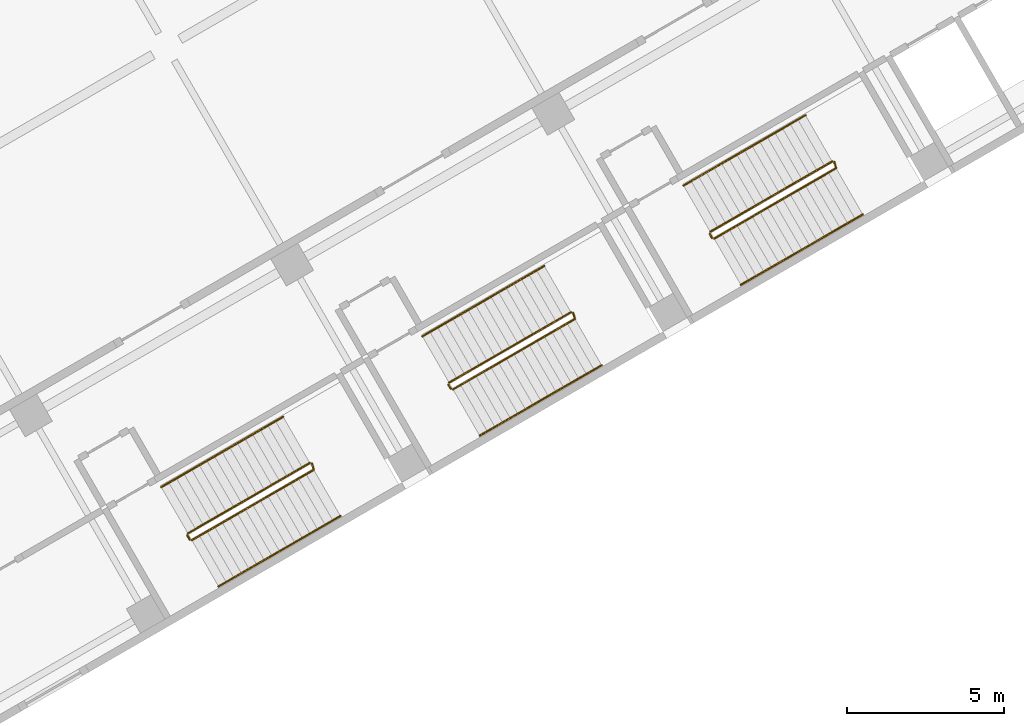
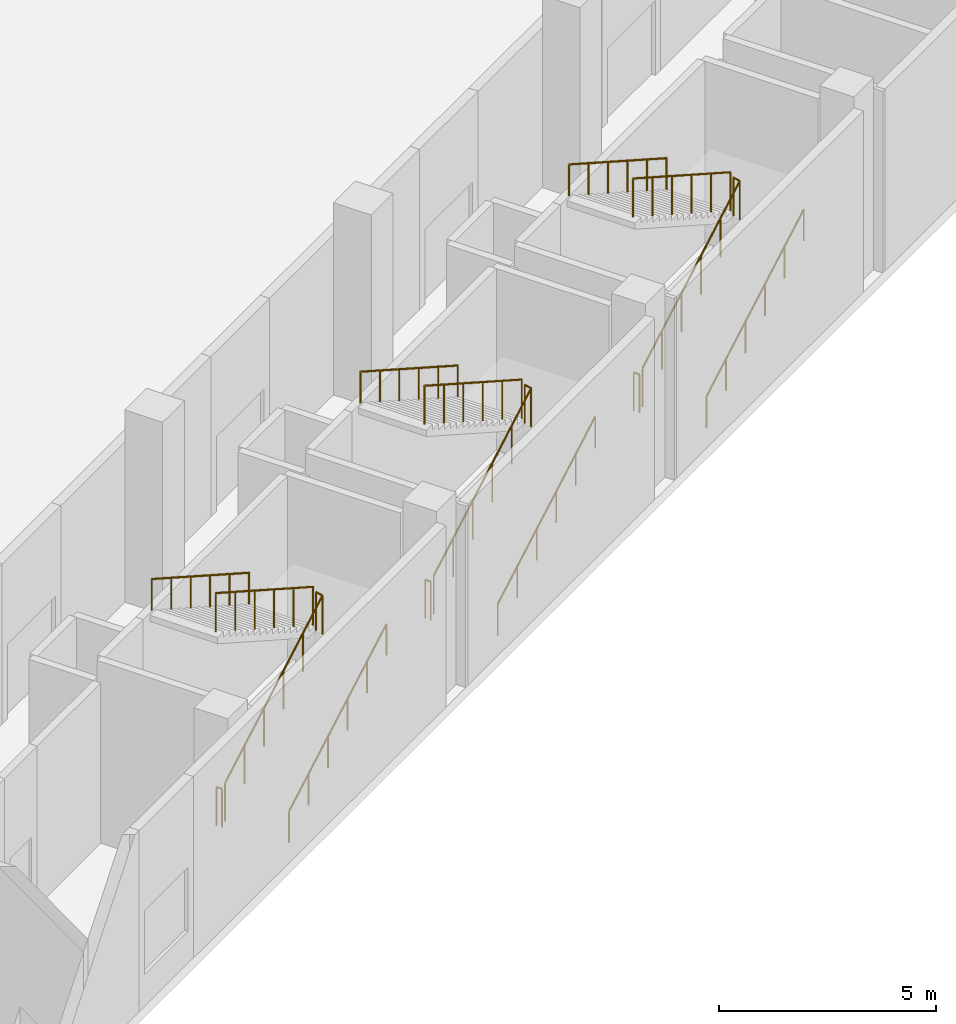
# One storey, part 35 of 35: 15 railings.
"""IFC4 building model written with IfcOpenShell, lengths in metres."""

import ifcopenshell
import ifcopenshell.guid

model = None  # the IFC model being written
_history = None  # IfcOwnerHistory: only IFC2X3 demands one
_inside = {}  # id of a spatial element -> (the spatial element, [elements in it])
_under = {}  # id of a project, library or spatial element -> (it, [spatial elements below it])
_declared = {}  # id of a project -> (the project, [libraries it declares])
_typed = {}  # id of a type object -> (the type object, [elements of that type])
_made_of = {}  # id of a material, layer set ... -> (it, [elements and type objects made of it])


def new_model(schema):
    """Start an empty IFC model of exactly this schema.

    Asked for "IFC4X3", IfcOpenShell would pick the latest addendum, in which some entities
    have other attributes; the version numbers below select the first issue.
    IFC2X3 requires an IfcOwnerHistory on every rooted entity: one is made here for all.
    """
    global model, _history
    if schema == "IFC4X3":
        model = ifcopenshell.file(schema_version=(4, 3, 0, 0))
    else:
        model = ifcopenshell.file(schema=schema)
    _inside.clear()
    _under.clear()
    _declared.clear()
    _typed.clear()
    _made_of.clear()
    _history = None
    if model.schema == "IFC2X3":
        org = make("IfcOrganization", Name="unknown")
        user = make(
            "IfcPersonAndOrganization",
            ThePerson=make("IfcPerson", FamilyName="unknown"),
            TheOrganization=org,
        )
        app = make(
            "IfcApplication",
            ApplicationDeveloper=org,
            Version="unknown",
            ApplicationFullName="unknown",
            ApplicationIdentifier="unknown",
        )
        _history = make(
            "IfcOwnerHistory",
            OwningUser=user,
            OwningApplication=app,
            ChangeAction="ADDED",
            CreationDate=0,
        )
    return model


def make(cls, **values):
    """One entity of the class cls with the attributes given. An attribute that is None is left unset."""
    return model.create_entity(
        cls, **{name: value for name, value in values.items() if value is not None}
    )


def rooted(cls, **values):
    """An entity with a GlobalId (a new one), such as an element, a storey or a relation."""
    return make(cls, GlobalId=ifcopenshell.guid.new(), OwnerHistory=_history, **values)


def si_unit(unit_type, name, prefix=None):
    """IfcSIUnit, for example si_unit("LENGTHUNIT", "METRE", prefix="MILLI")."""
    return make("IfcSIUnit", UnitType=unit_type, Prefix=prefix, Name=name)


def assignment(units):
    """IfcUnitAssignment: the units of a project."""
    return None if units is None else make("IfcUnitAssignment", Units=units)


def point(xyz):
    """IfcCartesianPoint."""
    return None if xyz is None else make("IfcCartesianPoint", Coordinates=xyz)


def direction(xyz):
    """IfcDirection."""
    return None if xyz is None else make("IfcDirection", DirectionRatios=xyz)


def frame(location, z_axis=None, x_axis=None):
    """IfcAxis2Placement3D, a coordinate frame: its origin and axes. An axis left out is left unset."""
    return make(
        "IfcAxis2Placement3D",
        Location=point(location),
        Axis=direction(z_axis),
        RefDirection=direction(x_axis),
    )


def frame_2d(location, x_axis=None):
    """IfcAxis2Placement2D, a coordinate frame in the plane: its origin and x axis."""
    return make(
        "IfcAxis2Placement2D", Location=point(location), RefDirection=direction(x_axis)
    )


def origin():
    """The frame at (0, 0, 0) with its axes left unset."""
    return frame((0.0, 0.0, 0.0))


def origin_2d():
    """The frame at (0, 0) in the plane with its x axis left unset."""
    return frame_2d((0.0, 0.0))


def place(relative_to, where):
    """IfcLocalPlacement: puts the frame where relative to a parent placement (None: the world)."""
    return make(
        "IfcLocalPlacement", PlacementRelTo=relative_to, RelativePlacement=where
    )


def context(
    kind, dimensions, precision=None, world=None, true_north=None, identifier=None
):
    """IfcGeometricRepresentationContext, for example the 3D "Model" context."""
    return make(
        "IfcGeometricRepresentationContext",
        ContextIdentifier=identifier,
        ContextType=kind,
        CoordinateSpaceDimension=dimensions,
        Precision=precision,
        WorldCoordinateSystem=world,
        TrueNorth=true_north,
    )


def subcontext(parent, identifier, kind, view, scale=None):
    """IfcGeometricRepresentationSubContext, for example "Body" below "Model"."""
    return make(
        "IfcGeometricRepresentationSubContext",
        ContextIdentifier=identifier,
        ContextType=kind,
        ParentContext=parent,
        TargetScale=scale,
        TargetView=view,
    )


def project(units=None, contexts=None):
    """IfcProject with its units and contexts."""
    return rooted(
        "IfcProject",
        Name="project",
        RepresentationContexts=contexts,
        UnitsInContext=assignment(units),
    )


def spatial(cls, under=None, at=None, **own):
    """A site, building, storey or space (cls), placed at a placement, below another one or the project."""
    s = rooted(cls, ObjectPlacement=at, **own)
    if under is not None:
        _under.setdefault(under.id(), (under, []))[1].append(s)
    return s


def profile(cls, at=None, kind="AREA", **sizes):
    """A parametric profile (cls). Its sizes go by their IFC names, for example OverallWidth=200.0."""
    return make(cls, ProfileType=kind, Position=at, **sizes)


def circle(**sizes):
    """IfcCircleProfileDef."""
    return profile("IfcCircleProfileDef", **sizes)


def extrude(swept, where, along, depth):
    """IfcExtrudedAreaSolid: the profile swept, set in the frame where, extruded along a direction by depth."""
    return make(
        "IfcExtrudedAreaSolid",
        SweptArea=swept,
        Position=where,
        ExtrudedDirection=direction(along),
        Depth=depth,
    )


def shape(context_of_items, identifier, shape_type, items):
    """IfcShapeRepresentation: the items that make up one representation, for example the "Body"."""
    return make(
        "IfcShapeRepresentation",
        ContextOfItems=context_of_items,
        RepresentationIdentifier=identifier,
        RepresentationType=shape_type,
        Items=items,
    )


def material(Name=None, Category=None):
    """IfcMaterial."""
    return make("IfcMaterial", Name=Name, Category=Category)


def made_of(thing, what):
    """Note that an element or type object is made of a material, layer set ...; save() writes the relation."""
    if what is not None:
        _made_of.setdefault(what.id(), (what, []))[1].append(thing)
    return thing


def type_object(cls, material=None, **own):
    """A type object (cls), such as IfcWallType, which elements share."""
    return made_of(rooted(cls, **own), material)


def element(
    cls,
    number,
    at=None,
    inside=None,
    cuts=None,
    type_object=None,
    material=None,
    context=None,
    identifier="Body",
    shape_type=None,
    held_by="IfcProductDefinitionShape",
    body=None,
    shapes=None,
    **own,
):
    """One element of the class cls, such as IfcWall. Its Tag is "e" and its number.

    at: its placement. inside: the storey or other place that contains it. cuts: it is an
    opening in that element (IfcRelVoidsElement). A single representation is given by context,
    identifier, shape_type and body (its items); several are given by shapes. held_by: the class
    of the entity that holds the representations. save() writes the other relations.
    """
    e = rooted(cls, Tag="e%d" % number, ObjectPlacement=at, **own)
    if body is not None:
        shapes = [shape(context, identifier, shape_type, body)]
    if shapes is not None:
        e.Representation = make(held_by, Representations=shapes)
    if inside is not None:
        _inside.setdefault(inside.id(), (inside, []))[1].append(e)
    if cuts is not None:
        rooted(
            "IfcRelVoidsElement", RelatingBuildingElement=cuts, RelatedOpeningElement=e
        )
    if type_object is not None:
        _typed.setdefault(type_object.id(), (type_object, []))[1].append(e)
    return made_of(e, material)


def aggregate(whole, parts):
    """IfcRelAggregates: a whole, such as a stair, and the parts it consists of."""
    return rooted("IfcRelAggregates", RelatingObject=whole, RelatedObjects=parts)


def save(model, path):
    """Write the relations noted so far, then the file.

    IfcRelAggregates (storeys below a building ...), IfcRelContainedInSpatialStructure (elements
    in a storey), IfcRelDefinesByType, IfcRelAssociatesMaterial and IfcRelDeclares: one each for
    every whole, place, type object, material and project.
    """
    for whole, parts in _under.values():
        aggregate(whole, parts)
    for where, things in _inside.values():
        rooted(
            "IfcRelContainedInSpatialStructure",
            RelatedElements=things,
            RelatingStructure=where,
        )
    for kind, things in _typed.values():
        rooted("IfcRelDefinesByType", RelatedObjects=things, RelatingType=kind)
    for what, things in _made_of.values():
        rooted("IfcRelAssociatesMaterial", RelatedObjects=things, RelatingMaterial=what)
    for by, libraries in _declared.values():
        rooted("IfcRelDeclares", RelatingContext=by, RelatedDefinitions=libraries)
    model.write(path)


model = new_model("IFC4")

# Units and contexts
model_context = context("Model", 3, precision=1e-05, world=origin(), true_north=direction((0.0, 1.0)))
body_context = subcontext(model_context, "Body", "Model", "MODEL_VIEW")
ifc_project = project(units=[si_unit("LENGTHUNIT", "METRE"), si_unit("AREAUNIT", "SQUARE_METRE"), si_unit("VOLUMEUNIT", "CUBIC_METRE"), si_unit("PLANEANGLEUNIT", "RADIAN"), si_unit("MASSUNIT", "GRAM", prefix="KILO")], contexts=[model_context])

# Site, building, storey
site_placement = place(None, origin())
site = spatial("IfcSite", under=ifc_project, at=site_placement, CompositionType="ELEMENT")
building_placement = place(site_placement, origin())
building = spatial("IfcBuilding", under=site, at=building_placement, Name="Mestral Congress Tower", CompositionType="ELEMENT")
storey_placement = place(building_placement, frame((0.0, 0.0, 6.0)))
storey = spatial("IfcBuildingStorey", under=building, at=storey_placement, Name="L01", CompositionType="ELEMENT", Elevation=6.0)

# Railings
ifc_material_1 = material(Name="Steel balustrade", Category="steel")
railing_type_1 = type_object("IfcRailingType", Name="Podium stair guard 1100", PredefinedType="GUARDRAIL", material=ifc_material_1)
railing_1_placement = place(storey_placement, frame((51.889892578125, -13.919921875, 0.158935546875)))
element("IfcRailing", 1, at=railing_1_placement, inside=storey, type_object=railing_type_1, Name="L01 PS-E1 stair guard 1", PredefinedType="GUARDRAIL", context=body_context, shape_type="SweptSolid", body=[
    extrude(circle(Radius=0.02392578125, at=origin_2d()), frame((0.0, 0.0, 1.076171875), z_axis=(0.753299937478, 0.434906048726, 0.493351733531), x_axis=(-0.499989762656, 0.866031314237, 0.0)), (0.0, 0.0, 1.0), 5.150634765625),
    extrude(circle(Radius=0.02392578125, at=origin_2d()), frame((3.8798828125, 2.239990234375, 3.6171875), z_axis=(-0.274721127897, 0.961523947641, 0.0), x_axis=(-0.961523947641, -0.274721127897, 0.0)), (0.0, 0.0, 1.0), 0.2060546875),
    extrude(circle(Radius=0.02099609375, at=origin_2d()), origin(), (0.0, 0.0, 1.0), 1.052001953125),
    extrude(circle(Radius=0.02099609375, at=origin_2d()), frame((0.77587890625, 0.447998046875, 0.50830078125)), (0.0, 0.0, 1.0), 1.052001953125),
    extrude(circle(Radius=0.02099609375, at=origin_2d()), frame((1.552001953125, 0.89599609375, 1.016357421875)), (0.0, 0.0, 1.0), 1.052001953125),
    extrude(circle(Radius=0.02099609375, at=origin_2d()), frame((2.327880859375, 1.343994140625, 1.524658203125)), (0.0, 0.0, 1.0), 1.052001953125),
    extrude(circle(Radius=0.02099609375, at=origin_2d()), frame((3.10400390625, 1.7919921875, 2.03271484375)), (0.0, 0.0, 1.0), 1.052001953125),
    extrude(circle(Radius=0.02099609375, at=origin_2d()), frame((3.8798828125, 2.239990234375, 2.541015625)), (0.0, 0.0, 1.0), 1.052001953125),
    extrude(circle(Radius=0.02099609375, at=origin_2d()), frame((3.8232421875, 2.438232421875, 2.541015625)), (0.0, 0.0, 1.0), 1.052001953125),
])
railing_2_placement = place(storey_placement, frame((55.644775390625, -11.46337890625, 2.85888671875)))
element("IfcRailing", 2, at=railing_2_placement, inside=storey, type_object=railing_type_1, Name="L01 PS-E1 stair guard 2", PredefinedType="GUARDRAIL", context=body_context, shape_type="SweptSolid", body=[
    extrude(circle(Radius=0.02392578125, at=origin_2d()), frame((0.0, 0.0, 1.076171875), z_axis=(-0.753299937478, -0.434906048726, 0.493351733531), x_axis=(0.499989762656, -0.866031314237, 0.0)), (0.0, 0.0, 1.0), 5.150634765625),
    extrude(circle(Radius=0.02099609375, at=origin_2d()), origin(), (0.0, 0.0, 1.0), 1.052001953125),
    extrude(circle(Radius=0.02099609375, at=origin_2d()), frame((-0.77587890625, -0.447998046875, 0.50830078125)), (0.0, 0.0, 1.0), 1.052001953125),
    extrude(circle(Radius=0.02099609375, at=origin_2d()), frame((-1.552001953125, -0.89599609375, 1.016357421875)), (0.0, 0.0, 1.0), 1.052001953125),
    extrude(circle(Radius=0.02099609375, at=origin_2d()), frame((-2.327880859375, -1.343994140625, 1.524658203125)), (0.0, 0.0, 1.0), 1.052001953125),
    extrude(circle(Radius=0.02099609375, at=origin_2d()), frame((-3.10400390625, -1.7919921875, 2.03271484375)), (0.0, 0.0, 1.0), 1.052001953125),
    extrude(circle(Radius=0.02099609375, at=origin_2d()), frame((-3.8798828125, -2.239990234375, 2.541015625)), (0.0, 0.0, 1.0), 1.052001953125),
])
railing_3_placement = place(storey_placement, frame((51.821533203125, -13.901611328125, 0.0)))
element("IfcRailing", 3, at=railing_3_placement, inside=storey, type_object=railing_type_1, Name="L01 PS-E1 stair guard 3", PredefinedType="GUARDRAIL", context=body_context, shape_type="SweptSolid", body=[
    extrude(circle(Radius=0.02392578125, at=origin_2d()), frame((0.0, 0.0, 1.076171875), z_axis=(-0.499816412211, 0.866131372301, 0.0), x_axis=(-0.866131372301, -0.499816412211, 0.0)), (0.0, 0.0, 1.0), 0.14990234375),
    extrude(circle(Radius=0.02099609375, at=origin_2d()), origin(), (0.0, 0.0, 1.0), 1.052001953125),
    extrude(circle(Radius=0.02099609375, at=origin_2d()), frame((-0.074951171875, 0.1298828125, 0.0)), (0.0, 0.0, 1.0), 1.052001953125),
])
railing_4_placement = place(storey_placement, frame((60.203857421875, -9.119873046875, 0.158935546875)))
element("IfcRailing", 4, at=railing_4_placement, inside=storey, type_object=railing_type_1, Name="L01 PS-E2 stair guard 1", PredefinedType="GUARDRAIL", context=body_context, shape_type="SweptSolid", body=[
    extrude(circle(Radius=0.02392578125, at=origin_2d()), frame((0.0, 0.0, 1.076171875), z_axis=(0.7532794335, 0.434921578401, 0.49336935019), x_axis=(-0.500013360201, 0.866017690131, 0.0)), (0.0, 0.0, 1.0), 5.150390625),
    extrude(circle(Radius=0.02392578125, at=origin_2d()), frame((3.879638671875, 2.239990234375, 3.6171875), z_axis=(-0.274721127897, 0.961523947641, 0.0), x_axis=(-0.961523947641, -0.274721127897, 0.0)), (0.0, 0.0, 1.0), 0.2060546875),
    extrude(circle(Radius=0.02099609375, at=origin_2d()), origin(), (0.0, 0.0, 1.0), 1.052001953125),
    extrude(circle(Radius=0.02099609375, at=origin_2d()), frame((0.77587890625, 0.447998046875, 0.50830078125)), (0.0, 0.0, 1.0), 1.052001953125),
    extrude(circle(Radius=0.02099609375, at=origin_2d()), frame((1.5517578125, 0.89599609375, 1.016357421875)), (0.0, 0.0, 1.0), 1.052001953125),
    extrude(circle(Radius=0.02099609375, at=origin_2d()), frame((2.327880859375, 1.343994140625, 1.524658203125)), (0.0, 0.0, 1.0), 1.052001953125),
    extrude(circle(Radius=0.02099609375, at=origin_2d()), frame((3.103759765625, 1.7919921875, 2.03271484375)), (0.0, 0.0, 1.0), 1.052001953125),
    extrude(circle(Radius=0.02099609375, at=origin_2d()), frame((3.879638671875, 2.239990234375, 2.541015625)), (0.0, 0.0, 1.0), 1.052001953125),
    extrude(circle(Radius=0.02099609375, at=origin_2d()), frame((3.822998046875, 2.438232421875, 2.541015625)), (0.0, 0.0, 1.0), 1.052001953125),
])
railing_5_placement = place(storey_placement, frame((63.95849609375, -6.663330078125, 2.85888671875)))
element("IfcRailing", 5, at=railing_5_placement, inside=storey, type_object=railing_type_1, Name="L01 PS-E2 stair guard 2", PredefinedType="GUARDRAIL", context=body_context, shape_type="SweptSolid", body=[
    extrude(circle(Radius=0.02392578125, at=origin_2d()), frame((0.0, 0.0, 1.076171875), z_axis=(-0.753263903117, -0.43496001353, 0.49335917838), x_axis=(0.500054230829, -0.865994091337, 0.0)), (0.0, 0.0, 1.0), 5.150390625),
    extrude(circle(Radius=0.02099609375, at=origin_2d()), origin(), (0.0, 0.0, 1.0), 1.052001953125),
    extrude(circle(Radius=0.02099609375, at=origin_2d()), frame((-0.77587890625, -0.447998046875, 0.50830078125)), (0.0, 0.0, 1.0), 1.052001953125),
    extrude(circle(Radius=0.02099609375, at=origin_2d()), frame((-1.5517578125, -0.89599609375, 1.016357421875)), (0.0, 0.0, 1.0), 1.052001953125),
    extrude(circle(Radius=0.02099609375, at=origin_2d()), frame((-2.327880859375, -1.34423828125, 1.524658203125)), (0.0, 0.0, 1.0), 1.052001953125),
    extrude(circle(Radius=0.02099609375, at=origin_2d()), frame((-3.103759765625, -1.792236328125, 2.03271484375)), (0.0, 0.0, 1.0), 1.052001953125),
    extrude(circle(Radius=0.02099609375, at=origin_2d()), frame((-3.879638671875, -2.240234375, 2.541015625)), (0.0, 0.0, 1.0), 1.052001953125),
])
railing_6_placement = place(storey_placement, frame((60.135498046875, -9.1015625, 0.0)))
element("IfcRailing", 6, at=railing_6_placement, inside=storey, type_object=railing_type_1, Name="L01 PS-E2 stair guard 3", PredefinedType="GUARDRAIL", context=body_context, shape_type="SweptSolid", body=[
    extrude(circle(Radius=0.02392578125, at=origin_2d()), frame((0.0, 0.0, 1.076171875), z_axis=(-0.499816412211, 0.866131372301, 0.0), x_axis=(-0.866131372301, -0.499816412211, 0.0)), (0.0, 0.0, 1.0), 0.14990234375),
    extrude(circle(Radius=0.02099609375, at=origin_2d()), origin(), (0.0, 0.0, 1.0), 1.052001953125),
    extrude(circle(Radius=0.02099609375, at=origin_2d()), frame((-0.074951171875, 0.1298828125, 0.0)), (0.0, 0.0, 1.0), 1.052001953125),
])
railing_7_placement = place(storey_placement, frame((68.517578125, -4.320068359375, 0.158935546875)))
element("IfcRailing", 7, at=railing_7_placement, inside=storey, type_object=railing_type_1, Name="L01 PS-E3 stair guard 1", PredefinedType="GUARDRAIL", context=body_context, shape_type="SweptSolid", body=[
    extrude(circle(Radius=0.02392578125, at=origin_2d()), frame((0.0, 0.0, 1.076171875), z_axis=(0.75328440778, 0.434944483123, 0.49334156281), x_axis=(-0.500030632641, 0.866007717299, 0.0)), (0.0, 0.0, 1.0), 5.150634765625),
    extrude(circle(Radius=0.02392578125, at=origin_2d()), frame((3.8798828125, 2.240234375, 3.6171875), z_axis=(-0.276129543174, 0.961120427099, 0.0), x_axis=(-0.961120427099, -0.276129543174, 0.0)), (0.0, 0.0, 1.0), 0.2060546875),
    extrude(circle(Radius=0.02099609375, at=origin_2d()), origin(), (0.0, 0.0, 1.0), 1.052001953125),
    extrude(circle(Radius=0.02099609375, at=origin_2d()), frame((0.77587890625, 0.447998046875, 0.50830078125)), (0.0, 0.0, 1.0), 1.052001953125),
    extrude(circle(Radius=0.02099609375, at=origin_2d()), frame((1.552001953125, 0.89599609375, 1.016357421875)), (0.0, 0.0, 1.0), 1.052001953125),
    extrude(circle(Radius=0.02099609375, at=origin_2d()), frame((2.327880859375, 1.34423828125, 1.524658203125)), (0.0, 0.0, 1.0), 1.052001953125),
    extrude(circle(Radius=0.02099609375, at=origin_2d()), frame((3.10400390625, 1.792236328125, 2.03271484375)), (0.0, 0.0, 1.0), 1.052001953125),
    extrude(circle(Radius=0.02099609375, at=origin_2d()), frame((3.8798828125, 2.240234375, 2.541015625)), (0.0, 0.0, 1.0), 1.052001953125),
    extrude(circle(Radius=0.02099609375, at=origin_2d()), frame((3.822998046875, 2.438232421875, 2.541015625)), (0.0, 0.0, 1.0), 1.052001953125),
])
railing_8_placement = place(storey_placement, frame((72.2724609375, -1.863525390625, 2.85888671875)))
element("IfcRailing", 8, at=railing_8_placement, inside=storey, type_object=railing_type_1, Name="L01 PS-E3 stair guard 2", PredefinedType="GUARDRAIL", context=body_context, shape_type="SweptSolid", body=[
    extrude(circle(Radius=0.02392578125, at=origin_2d()), frame((0.0, 0.0, 1.076171875), z_axis=(-0.753299937478, -0.434906048726, 0.493351733531), x_axis=(0.499989762656, -0.866031314237, 0.0)), (0.0, 0.0, 1.0), 5.150634765625),
    extrude(circle(Radius=0.02099609375, at=origin_2d()), origin(), (0.0, 0.0, 1.0), 1.052001953125),
    extrude(circle(Radius=0.02099609375, at=origin_2d()), frame((-0.77587890625, -0.447998046875, 0.50830078125)), (0.0, 0.0, 1.0), 1.052001953125),
    extrude(circle(Radius=0.02099609375, at=origin_2d()), frame((-1.552001953125, -0.89599609375, 1.016357421875)), (0.0, 0.0, 1.0), 1.052001953125),
    extrude(circle(Radius=0.02099609375, at=origin_2d()), frame((-2.327880859375, -1.343994140625, 1.524658203125)), (0.0, 0.0, 1.0), 1.052001953125),
    extrude(circle(Radius=0.02099609375, at=origin_2d()), frame((-3.10400390625, -1.7919921875, 2.03271484375)), (0.0, 0.0, 1.0), 1.052001953125),
    extrude(circle(Radius=0.02099609375, at=origin_2d()), frame((-3.8798828125, -2.239990234375, 2.541015625)), (0.0, 0.0, 1.0), 1.052001953125),
])
railing_9_placement = place(storey_placement, frame((68.44921875, -4.3017578125, 0.0)))
element("IfcRailing", 9, at=railing_9_placement, inside=storey, type_object=railing_type_1, Name="L01 PS-E3 stair guard 3", PredefinedType="GUARDRAIL", context=body_context, shape_type="SweptSolid", body=[
    extrude(circle(Radius=0.02392578125, at=origin_2d()), frame((0.0, 0.0, 1.076171875), z_axis=(-0.499112439033, 0.866537231285, 0.0), x_axis=(-0.866537231285, -0.499112439033, 0.0)), (0.0, 0.0, 1.0), 0.150146484375),
    extrude(circle(Radius=0.02099609375, at=origin_2d()), origin(), (0.0, 0.0, 1.0), 1.052001953125),
    extrude(circle(Radius=0.02099609375, at=origin_2d()), frame((-0.074951171875, 0.130126953125, 0.0)), (0.0, 0.0, 1.0), 1.052001953125),
])
ifc_material_2 = material(Name="Steel handrail", Category="steel")
railing_type_2 = type_object("IfcRailingType", Name="Podium stair handrail 900", PredefinedType="HANDRAIL", material=ifc_material_2)
railing_10_placement = place(storey_placement, frame((52.739990234375, -15.39208984375, 0.158935546875)))
element("IfcRailing", 10, at=railing_10_placement, inside=storey, type_object=railing_type_2, Name="L01 PS-E1 stair handrail 1", PredefinedType="HANDRAIL", context=body_context, shape_type="SweptSolid", body=[
    extrude(circle(Radius=0.02392578125, at=origin_2d()), frame((0.0, 0.0, 0.8759765625), z_axis=(0.7532794335, 0.434921578401, 0.49336935019), x_axis=(-0.500013360201, 0.866017690131, 0.0)), (0.0, 0.0, 1.0), 5.150390625),
    extrude(circle(Radius=0.02099609375, at=origin_2d()), origin(), (0.0, 0.0, 1.0), 0.851806640625),
    extrude(circle(Radius=0.02099609375, at=origin_2d()), frame((0.77587890625, 0.447998046875, 0.50830078125)), (0.0, 0.0, 1.0), 0.851806640625),
    extrude(circle(Radius=0.02099609375, at=origin_2d()), frame((1.5517578125, 0.89599609375, 1.016357421875)), (0.0, 0.0, 1.0), 0.851806640625),
    extrude(circle(Radius=0.02099609375, at=origin_2d()), frame((2.327880859375, 1.343994140625, 1.524658203125)), (0.0, 0.0, 1.0), 0.851806640625),
    extrude(circle(Radius=0.02099609375, at=origin_2d()), frame((3.103759765625, 1.7919921875, 2.03271484375)), (0.0, 0.0, 1.0), 0.851806640625),
    extrude(circle(Radius=0.02099609375, at=origin_2d()), frame((3.879638671875, 2.239990234375, 2.541015625)), (0.0, 0.0, 1.0), 0.851806640625),
])
railing_11_placement = place(storey_placement, frame((54.794677734375, -9.9912109375, 2.85888671875)))
element("IfcRailing", 11, at=railing_11_placement, inside=storey, type_object=railing_type_2, Name="L01 PS-E1 stair handrail 2", PredefinedType="HANDRAIL", context=body_context, shape_type="SweptSolid", body=[
    extrude(circle(Radius=0.02392578125, at=origin_2d()), frame((0.0, 0.0, 0.8759765625), z_axis=(-0.7532794335, -0.434921578401, 0.49336935019), x_axis=(0.500013360201, -0.866017690131, 0.0)), (0.0, 0.0, 1.0), 5.150390625),
    extrude(circle(Radius=0.02099609375, at=origin_2d()), origin(), (0.0, 0.0, 1.0), 0.851806640625),
    extrude(circle(Radius=0.02099609375, at=origin_2d()), frame((-0.77587890625, -0.447998046875, 0.50830078125)), (0.0, 0.0, 1.0), 0.851806640625),
    extrude(circle(Radius=0.02099609375, at=origin_2d()), frame((-1.5517578125, -0.89599609375, 1.016357421875)), (0.0, 0.0, 1.0), 0.851806640625),
    extrude(circle(Radius=0.02099609375, at=origin_2d()), frame((-2.327880859375, -1.343994140625, 1.524658203125)), (0.0, 0.0, 1.0), 0.851806640625),
    extrude(circle(Radius=0.02099609375, at=origin_2d()), frame((-3.103759765625, -1.7919921875, 2.03271484375)), (0.0, 0.0, 1.0), 0.851806640625),
    extrude(circle(Radius=0.02099609375, at=origin_2d()), frame((-3.879638671875, -2.239990234375, 2.541015625)), (0.0, 0.0, 1.0), 0.851806640625),
])
railing_12_placement = place(storey_placement, frame((61.0537109375, -10.59228515625, 0.158935546875)))
element("IfcRailing", 12, at=railing_12_placement, inside=storey, type_object=railing_type_2, Name="L01 PS-E2 stair handrail 1", PredefinedType="HANDRAIL", context=body_context, shape_type="SweptSolid", body=[
    extrude(circle(Radius=0.02392578125, at=origin_2d()), frame((0.0, 0.0, 0.8759765625), z_axis=(0.753299937478, 0.434906048726, 0.493351733531), x_axis=(-0.499989762656, 0.866031314237, 0.0)), (0.0, 0.0, 1.0), 5.150634765625),
    extrude(circle(Radius=0.02099609375, at=origin_2d()), origin(), (0.0, 0.0, 1.0), 0.851806640625),
    extrude(circle(Radius=0.02099609375, at=origin_2d()), frame((0.77587890625, 0.447998046875, 0.50830078125)), (0.0, 0.0, 1.0), 0.851806640625),
    extrude(circle(Radius=0.02099609375, at=origin_2d()), frame((1.552001953125, 0.89599609375, 1.016357421875)), (0.0, 0.0, 1.0), 0.851806640625),
    extrude(circle(Radius=0.02099609375, at=origin_2d()), frame((2.327880859375, 1.343994140625, 1.524658203125)), (0.0, 0.0, 1.0), 0.851806640625),
    extrude(circle(Radius=0.02099609375, at=origin_2d()), frame((3.10400390625, 1.7919921875, 2.03271484375)), (0.0, 0.0, 1.0), 0.851806640625),
    extrude(circle(Radius=0.02099609375, at=origin_2d()), frame((3.8798828125, 2.239990234375, 2.541015625)), (0.0, 0.0, 1.0), 0.851806640625),
])
railing_13_placement = place(storey_placement, frame((63.108642578125, -5.191162109375, 2.85888671875)))
element("IfcRailing", 13, at=railing_13_placement, inside=storey, type_object=railing_type_2, Name="L01 PS-E2 stair handrail 2", PredefinedType="HANDRAIL", context=body_context, shape_type="SweptSolid", body=[
    extrude(circle(Radius=0.02392578125, at=origin_2d()), frame((0.0, 0.0, 0.8759765625), z_axis=(-0.753299937478, -0.434906048726, 0.493351733531), x_axis=(0.499989762656, -0.866031314237, 0.0)), (0.0, 0.0, 1.0), 5.150634765625),
    extrude(circle(Radius=0.02099609375, at=origin_2d()), origin(), (0.0, 0.0, 1.0), 0.851806640625),
    extrude(circle(Radius=0.02099609375, at=origin_2d()), frame((-0.77587890625, -0.447998046875, 0.50830078125)), (0.0, 0.0, 1.0), 0.851806640625),
    extrude(circle(Radius=0.02099609375, at=origin_2d()), frame((-1.552001953125, -0.89599609375, 1.016357421875)), (0.0, 0.0, 1.0), 0.851806640625),
    extrude(circle(Radius=0.02099609375, at=origin_2d()), frame((-2.327880859375, -1.343994140625, 1.524658203125)), (0.0, 0.0, 1.0), 0.851806640625),
    extrude(circle(Radius=0.02099609375, at=origin_2d()), frame((-3.10400390625, -1.7919921875, 2.03271484375)), (0.0, 0.0, 1.0), 0.851806640625),
    extrude(circle(Radius=0.02099609375, at=origin_2d()), frame((-3.8798828125, -2.239990234375, 2.541015625)), (0.0, 0.0, 1.0), 0.851806640625),
])
railing_14_placement = place(storey_placement, frame((69.367431640625, -5.792236328125, 0.158935546875)))
element("IfcRailing", 14, at=railing_14_placement, inside=storey, type_object=railing_type_2, Name="L01 PS-E3 stair handrail 1", PredefinedType="HANDRAIL", context=body_context, shape_type="SweptSolid", body=[
    extrude(circle(Radius=0.02392578125, at=origin_2d()), frame((0.0, 0.0, 0.8759765625), z_axis=(0.753299937478, 0.434906048726, 0.493351733531), x_axis=(-0.499989762656, 0.866031314237, 0.0)), (0.0, 0.0, 1.0), 5.150634765625),
    extrude(circle(Radius=0.02099609375, at=origin_2d()), origin(), (0.0, 0.0, 1.0), 0.851806640625),
    extrude(circle(Radius=0.02099609375, at=origin_2d()), frame((0.77587890625, 0.447998046875, 0.50830078125)), (0.0, 0.0, 1.0), 0.851806640625),
    extrude(circle(Radius=0.02099609375, at=origin_2d()), frame((1.552001953125, 0.89599609375, 1.016357421875)), (0.0, 0.0, 1.0), 0.851806640625),
    extrude(circle(Radius=0.02099609375, at=origin_2d()), frame((2.327880859375, 1.343994140625, 1.524658203125)), (0.0, 0.0, 1.0), 0.851806640625),
    extrude(circle(Radius=0.02099609375, at=origin_2d()), frame((3.10400390625, 1.7919921875, 2.03271484375)), (0.0, 0.0, 1.0), 0.851806640625),
    extrude(circle(Radius=0.02099609375, at=origin_2d()), frame((3.8798828125, 2.239990234375, 2.541015625)), (0.0, 0.0, 1.0), 0.851806640625),
])
railing_15_placement = place(storey_placement, frame((71.42236328125, -0.39111328125, 2.85888671875)))
element("IfcRailing", 15, at=railing_15_placement, inside=storey, type_object=railing_type_2, Name="L01 PS-E3 stair handrail 2", PredefinedType="HANDRAIL", context=body_context, shape_type="SweptSolid", body=[
    extrude(circle(Radius=0.02392578125, at=origin_2d()), frame((0.0, 0.0, 0.8759765625), z_axis=(-0.753299937478, -0.434906048726, 0.493351733531), x_axis=(0.499989762656, -0.866031314237, 0.0)), (0.0, 0.0, 1.0), 5.150634765625),
    extrude(circle(Radius=0.02099609375, at=origin_2d()), origin(), (0.0, 0.0, 1.0), 0.851806640625),
    extrude(circle(Radius=0.02099609375, at=origin_2d()), frame((-0.77587890625, -0.447998046875, 0.50830078125)), (0.0, 0.0, 1.0), 0.851806640625),
    extrude(circle(Radius=0.02099609375, at=origin_2d()), frame((-1.552001953125, -0.89599609375, 1.016357421875)), (0.0, 0.0, 1.0), 0.851806640625),
    extrude(circle(Radius=0.02099609375, at=origin_2d()), frame((-2.327880859375, -1.343994140625, 1.524658203125)), (0.0, 0.0, 1.0), 0.851806640625),
    extrude(circle(Radius=0.02099609375, at=origin_2d()), frame((-3.10400390625, -1.7919921875, 2.03271484375)), (0.0, 0.0, 1.0), 0.851806640625),
    extrude(circle(Radius=0.02099609375, at=origin_2d()), frame((-3.8798828125, -2.239990234375, 2.541015625)), (0.0, 0.0, 1.0), 0.851806640625),
])

save(model, "model.ifc")
